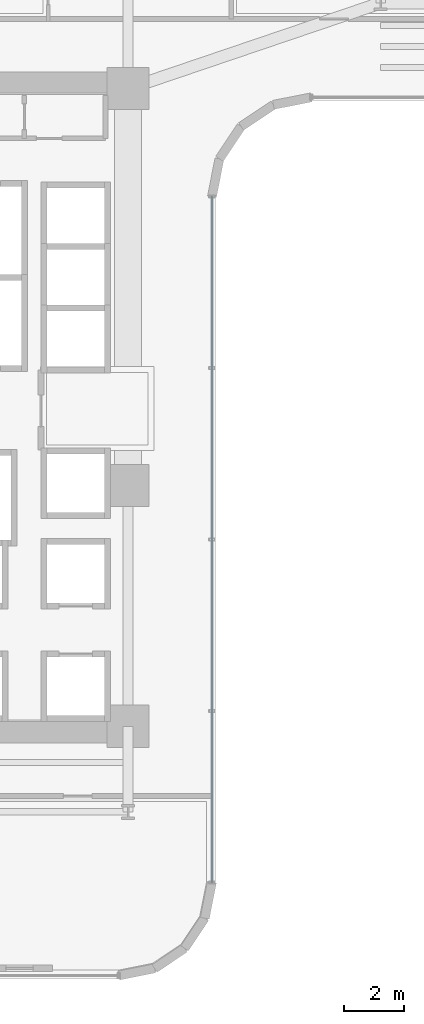
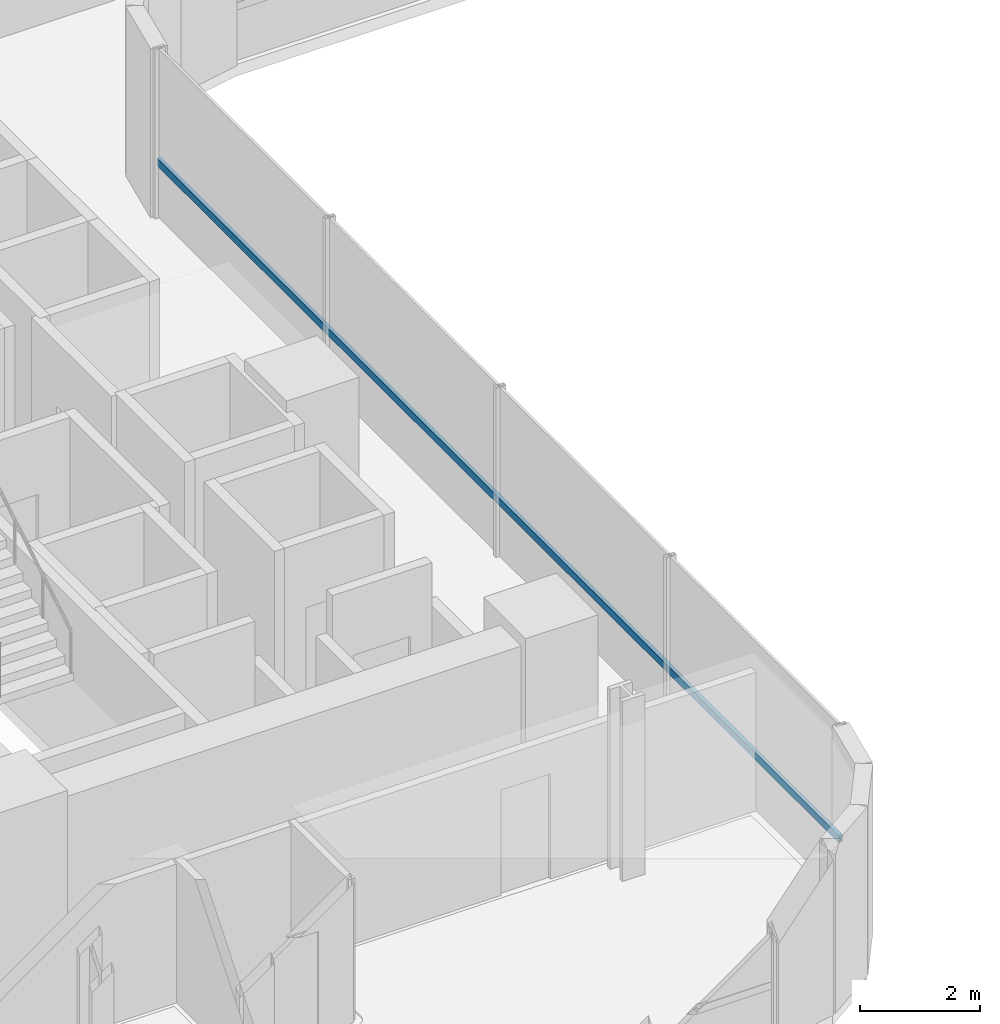
# One storey, part 7 of 41: 1 member, 1 element without a shape of its own.
"""IFC4 building model written with IfcOpenShell, lengths in metres."""

from ifc_helpers import new_model, si_unit, direction, frame, origin, origin_2d, place, context, subcontext, project, spatial, hollow_rectangle, extrude, source, transform, mapped, material, material_profile, profile_set, type_object, element, aggregate, save


model = new_model("IFC4")

# Units and contexts
model_context = context("Model", 3, precision=1e-05, world=origin(), true_north=direction((0.0, 1.0)))
body_context = subcontext(model_context, "Body", "Model", "MODEL_VIEW")
ifc_project = project(units=[si_unit("LENGTHUNIT", "METRE"), si_unit("AREAUNIT", "SQUARE_METRE"), si_unit("VOLUMEUNIT", "CUBIC_METRE"), si_unit("PLANEANGLEUNIT", "RADIAN"), si_unit("MASSUNIT", "GRAM", prefix="KILO")], contexts=[model_context])

# Site, building, storey
site_placement = place(None, origin())
site = spatial("IfcSite", under=ifc_project, at=site_placement, CompositionType="ELEMENT")
building_placement = place(site_placement, origin())
building = spatial("IfcBuilding", under=site, at=building_placement, Name="Valdorenza Pilgrim Sanctuary Tower", CompositionType="ELEMENT")
storey_placement = place(building_placement, frame((0.0, 0.0, 59.300048828125)))
storey = spatial("IfcBuildingStorey", under=building, at=storey_placement, Name="L14", CompositionType="ELEMENT", Elevation=59.300048828125)

# Curtain wall, member
ifc_material_1 = material(Name="Curtain-wall IGU glazing", Category="glass")
curtain_wall_type = type_object("IfcCurtainWallType", Name="CW-SYS-02", PredefinedType="NOTDEFINED", material=ifc_material_1)
curtain_wall_placement = place(storey_placement, origin())
curtain_wall = element("IfcCurtainWall", 1, at=curtain_wall_placement, inside=storey, type_object=curtain_wall_type, Name="L14 Curtain Wall CW-L14-1-41", PredefinedType="NOTDEFINED")
ifc_material_2 = material(Name="Anodised aluminium AW-6060", Category="aluminium")
ifc_material_profile = material_profile(ifc_material_2, hollow_rectangle(XDim=0.074951171875, YDim=0.14990234375, WallThickness=0.00390625, at=origin_2d()), Name="ALU-T 150x75x4")
ifc_profile_set = profile_set([ifc_material_profile], Name="Anodised aluminium AW-6060")
member_type = type_object("IfcMemberType", Name="CW-TRN-02", PredefinedType="USERDEFINED", material=ifc_profile_set)
shared_shape = source(origin(), body_context, "Body", "SweptSolid", [
    extrude(hollow_rectangle(XDim=0.074951171875, YDim=0.14990234375, WallThickness=0.00390625, at=origin_2d()), origin(), (0.0, 0.0, 1.0), 22.800048828125),
])
member_placement = place(storey_placement, frame((-9.610107421875, 7.0107421875, 1.119873046875), z_axis=(0.0, -1.0, 0.0), x_axis=(1.0, 0.0, 0.0)))
member = element("IfcMember", 2, at=member_placement, type_object=member_type, Name="CW-L14-1-41 Transom 1", ObjectType="TRANSOM", PredefinedType="USERDEFINED", context=body_context, shape_type="MappedRepresentation", body=[
    mapped(shared_shape, transform((0.0, 0.0, 0.0), x_axis=(1.0, 0.0, 0.0), y_axis=(0.0, 1.0, 0.0), z_axis=(0.0, 0.0, 1.0), scale=1.0)),
])
aggregate(curtain_wall, [member])

save(model, "model.ifc")
